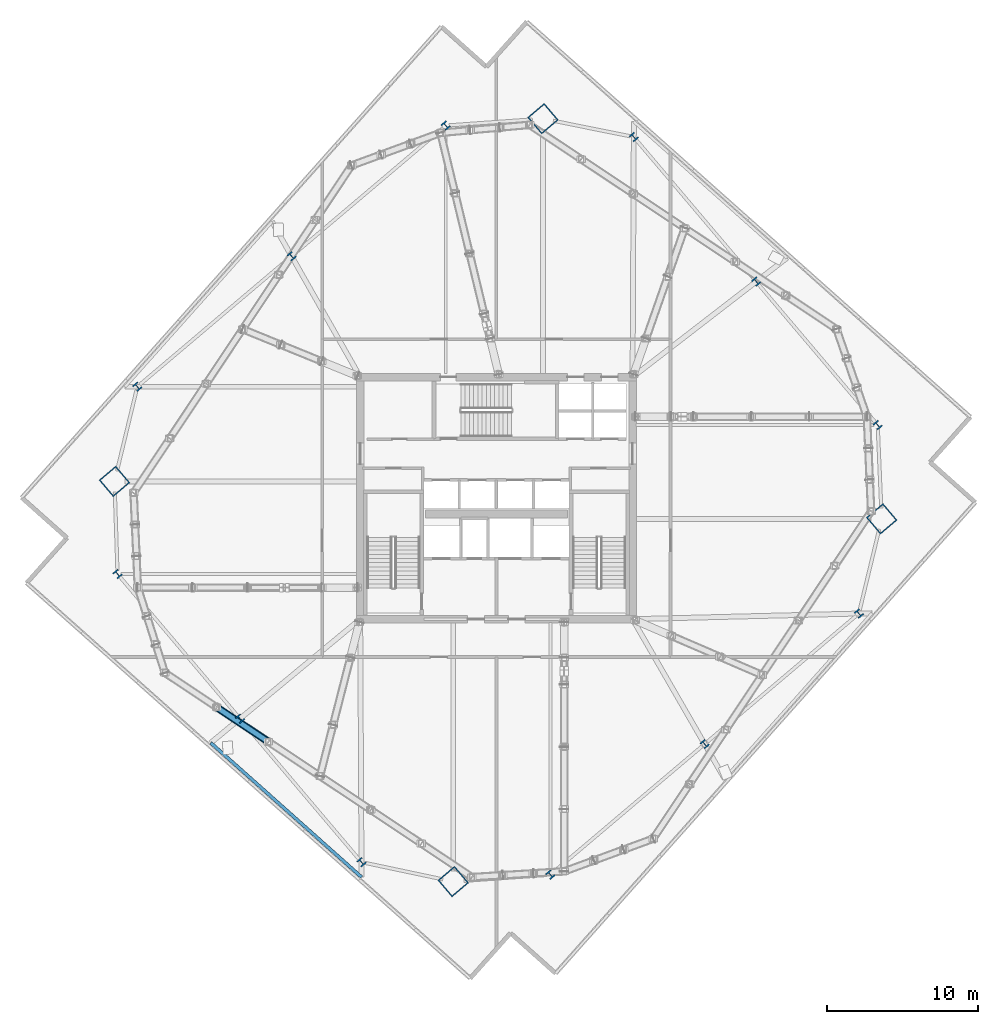
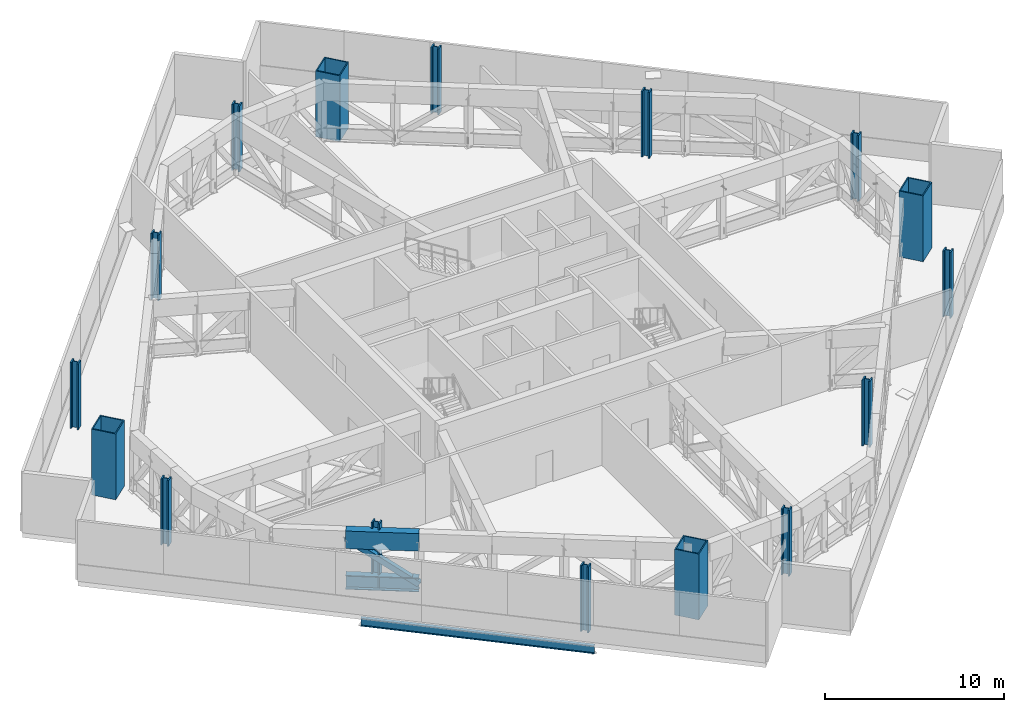
# One storey, part 1 of 18: 16 columns, 3 members, 1 beam.
"""IFC4 building model written with IfcOpenShell, lengths in metres."""

from ifc_helpers import new_model, si_unit, direction, frame, origin, origin_2d, place, context, subcontext, project, spatial, hollow_rectangle, i_section, extrude, material, material_profile, profile_set, type_object, element, save


model = new_model("IFC4")

# Units and contexts
model_context = context("Model", 3, precision=1e-05, world=origin(), true_north=direction((0.0, 1.0)))
body_context = subcontext(model_context, "Body", "Model", "MODEL_VIEW")
ifc_project = project(units=[si_unit("LENGTHUNIT", "METRE"), si_unit("AREAUNIT", "SQUARE_METRE"), si_unit("VOLUMEUNIT", "CUBIC_METRE"), si_unit("PLANEANGLEUNIT", "RADIAN"), si_unit("MASSUNIT", "GRAM", prefix="KILO")], contexts=[model_context])

# Site, building, storey
site_placement = place(None, origin())
site = spatial("IfcSite", under=ifc_project, at=site_placement, CompositionType="ELEMENT")
building_placement = place(site_placement, origin())
building = spatial("IfcBuilding", under=site, at=building_placement, Name="Haldenkirk Collegiate Tower", CompositionType="ELEMENT")
storey_placement = place(building_placement, frame((0.0, 0.0, 189.449951171875)))
storey = spatial("IfcBuildingStorey", under=building, at=storey_placement, Name="L47", CompositionType="ELEMENT", Elevation=189.449951171875)

# Columns
ifc_material_1 = material(Name="Steel ASTM A913 Grade 65", Category="steel")
ifc_material_profile_1 = material_profile(ifc_material_1, i_section(OverallWidth=0.431884765625, OverallDepth=0.498046875, WebThickness=0.0556640625, FlangeThickness=0.0888671875, at=origin_2d()), Name="W14X500")
ifc_profile_set_1 = profile_set([ifc_material_profile_1], Name="Steel ASTM A913 Grade 65")
column_type_1 = type_object("IfcColumnType", Name="COL-INT-W14X500", PredefinedType="COLUMN", material=ifc_profile_set_1)
for number, where, z_axis, x_axis, name in (
    (1, (39.568603515625, 1.113525390625, 0.0), (0.0, 0.0, 1.0), (0.763232469783, 0.646123979643, 0.0), "L47 perimeter gravity column PC-S1"),
    (2, (49.762451171875, 9.7431640625, 0.0), (0.0, 0.0, 1.0), (0.763232469783, 0.646123979643, 0.0), "L47 perimeter gravity column PC-S2"),
    (3, (59.956298828125, 18.372802734375, 0.0), (0.0, 0.0, 1.0), (0.763232469783, 0.646123979643, 0.0), "L47 perimeter gravity column PC-S3"),
    (4, (61.199462890625, 30.82421875, 0.0), (0.0, 0.0, 1.0), (0.763232469783, 0.646123979643, 0.0), "L47 perimeter gravity column PC-E1"),
    (5, (53.17138671875, 40.307373046875, 0.0), (0.0, 0.0, 1.0), (0.763232469783, 0.646123979643, 0.0), "L47 perimeter gravity column PC-E2"),
    (6, (45.079833984375, 49.865234375, 0.0), (0.0, 0.0, 1.0), (0.763232469783, 0.646123979643, 0.0), "L47 perimeter gravity column PC-E3"),
    (7, (32.657470703125, 50.619384765625, 0.0), (0.0, 0.0, 1.0), (0.763232469783, 0.646123979643, 0.0), "L47 perimeter gravity column PC-N1"),
    (8, (22.463623046875, 41.98974609375, 0.0), (0.0, 0.0, 1.0), (0.763232469783, 0.646123979643, 0.0), "L47 perimeter gravity column PC-N2"),
    (9, (12.27001953125, 33.360107421875, 0.0), (0.0, 0.0, 1.0), (0.763232469783, 0.646123979643, 0.0), "L47 perimeter gravity column PC-N3"),
    (10, (10.96337890625, 20.9833984375, 0.0), (0.0, 0.0, 1.0), (0.763232469783, 0.646123979643, 0.0), "L47 perimeter gravity column PC-W1"),
    (11, (19.0546875, 11.425537109375, 0.0), (0.0, 0.0, 1.0), (0.763232469783, 0.646123979643, 0.0), "L47 perimeter gravity column PC-W2"),
    (12, (27.0830078125, 1.9423828125, 0.0), (0.0, 0.0, 1.0), (0.763232469783, 0.646123979643, 0.0), "L47 perimeter gravity column PC-W3"),
):
    element("IfcColumn", number, at=place(storey_placement, frame(where, z_axis=z_axis, x_axis=x_axis)), inside=storey, type_object=column_type_1, Name=name, PredefinedType="COLUMN", context=body_context, shape_type="SweptSolid", body=[
        extrude(i_section(OverallWidth=0.431884765625, OverallDepth=0.498046875, WebThickness=0.0556640625, FlangeThickness=0.0888671875, at=origin_2d()), origin(), (0.0, 0.0, 1.0), 4.5),
    ])
ifc_material_2 = material(Name="Steel ASTM A572 Grade 50", Category="steel")
ifc_material_profile_2 = material_profile(ifc_material_2, hollow_rectangle(XDim=1.449951171875, YDim=1.449951171875, WallThickness=0.070068359375, at=origin_2d()), Name="BOX1450X1450X70")
ifc_profile_set_2 = profile_set([ifc_material_profile_2], Name="Steel ASTM A572 Grade 50")
column_type_2 = type_object("IfcColumnType", Name="COL-MEGA-BOX1450X1450X70", PredefinedType="COLUMN", material=ifc_profile_set_2)
for number, where, z_axis, x_axis, name in (
    (13, (33.149169921875, 0.65771484375, 0.0), (0.0, 0.0, 1.0), (0.763232469783, 0.646123979643, 0.0), "L47 corner mega-column MC1"),
    (14, (61.465087890625, 24.62890625, 0.0), (0.0, 0.0, 1.0), (0.763232469783, 0.646123979643, 0.0), "L47 corner mega-column MC2"),
    (15, (39.076904296875, 51.074951171875, 0.0), (0.0, 0.0, 1.0), (0.763232469783, 0.646123979643, 0.0), "L47 corner mega-column MC3"),
    (16, (10.760986328125, 27.103759765625, 0.0), (0.0, 0.0, 1.0), (0.763232469783, 0.646123979643, 0.0), "L47 corner mega-column MC4"),
):
    element("IfcColumn", number, at=place(storey_placement, frame(where, z_axis=z_axis, x_axis=x_axis)), inside=storey, type_object=column_type_2, Name=name, PredefinedType="COLUMN", context=body_context, shape_type="SweptSolid", body=[
        extrude(hollow_rectangle(XDim=1.449951171875, YDim=1.449951171875, WallThickness=0.070068359375, at=origin_2d()), origin(), (0.0, 0.0, 1.0), 4.5),
    ])

# Beam
ifc_material_3 = material(Name="Steel ASTM A992 Grade 50", Category="steel")
ifc_material_profile_3 = material_profile(ifc_material_3, i_section(OverallWidth=0.2119140625, OverallDepth=0.5439453125, WebThickness=0.01318359375, FlangeThickness=0.021240234375, at=origin_2d()), Name="W21X83")
ifc_profile_set_3 = profile_set([ifc_material_profile_3], Name="Steel ASTM A992 Grade 50")
beam_type = type_object("IfcBeamType", Name="BM-SPANDREL-W21X83", PredefinedType="SPANDREL", material=ifc_profile_set_3)
beam_placement = place(storey_placement, frame((17.125244140625, 9.828857421875, -0.681884765625), z_axis=(0.746635553843, -0.665233304742, 0.0), x_axis=(0.665233304742, 0.746635553843, 0.0)))
element("IfcBeam", 17, at=beam_placement, inside=storey, type_object=beam_type, Name="L47 outer facade edge beam 4", PredefinedType="SPANDREL", context=body_context, shape_type="SweptSolid", body=[
    extrude(i_section(OverallWidth=0.2119140625, OverallDepth=0.5439453125, WebThickness=0.01318359375, FlangeThickness=0.021240234375, at=origin_2d()), origin(), (0.0, 0.0, 1.0), 13.343505859375),
])

# Members
ifc_material_profile_4 = material_profile(ifc_material_2, hollow_rectangle(XDim=0.5, YDim=1.199951171875, WallThickness=0.050048828125, at=origin_2d()), Name="BOX1200X500X50")
ifc_profile_set_4 = profile_set([ifc_material_profile_4], Name="Steel ASTM A572 Grade 50")
member_type_1 = type_object("IfcMemberType", Name="MBR-CHORD-BOX1200", PredefinedType="CHORD", material=ifc_profile_set_4)
member_1_placement = place(storey_placement, frame((17.5068359375, 12.181884765625, 3.489990234375), z_axis=(0.832461692724, -0.554082602278, 0.0), x_axis=(0.554082602278, 0.832461692724, 0.0)))
element("IfcMember", 18, at=member_1_placement, inside=storey, type_object=member_type_1, Name="Belt Truss L47-14 top chord 2", PredefinedType="CHORD", context=body_context, shape_type="SweptSolid", body=[
    extrude(hollow_rectangle(XDim=0.5, YDim=1.199951171875, WallThickness=0.050048828125, at=origin_2d()), origin(), (0.0, 0.0, 1.0), 4.106201171875),
])
ifc_material_profile_5 = material_profile(ifc_material_1, i_section(OverallWidth=0.423095703125, OverallDepth=0.947998046875, WebThickness=0.02392578125, FlangeThickness=0.042724609375, at=origin_2d()), Name="W36X302")
ifc_profile_set_5 = profile_set([ifc_material_profile_5], Name="Steel ASTM A913 Grade 65")
member_type_2 = type_object("IfcMemberType", Name="MBR-CHORD-W36X302", PredefinedType="CHORD", material=ifc_profile_set_5)
member_2_placement = place(storey_placement, frame((17.5068359375, 12.181884765625, 0.550048828125), z_axis=(0.832461692724, -0.554082602278, 0.0), x_axis=(0.554082602278, 0.832461692724, 0.0)))
element("IfcMember", 19, at=member_2_placement, inside=storey, type_object=member_type_2, Name="Belt Truss L47-14 bottom chord 2", PredefinedType="CHORD", context=body_context, shape_type="SweptSolid", body=[
    extrude(i_section(OverallWidth=0.423095703125, OverallDepth=0.947998046875, WebThickness=0.02392578125, FlangeThickness=0.042724609375, at=origin_2d()), origin(), (0.0, 0.0, 1.0), 4.106201171875),
])
ifc_material_profile_6 = material_profile(ifc_material_2, hollow_rectangle(XDim=0.35009765625, YDim=0.35009765625, WallThickness=0.01611328125, at=origin_2d()), Name="HSS350X350X16")
ifc_profile_set_6 = profile_set([ifc_material_profile_6], Name="Steel ASTM A572 Grade 50")
member_type_3 = type_object("IfcMemberType", Name="MBR-TRUSSDIAG-HSS350X350X16", PredefinedType="BRACE", material=ifc_profile_set_6)
member_3_placement = place(storey_placement, frame((17.5068359375, 12.181884765625, 3.489990234375), z_axis=(0.676857565574, -0.450513224311, -0.582152618002), x_axis=(0.554082602278, 0.832461692724, 0.0)))
element("IfcMember", 20, at=member_3_placement, inside=storey, type_object=member_type_3, Name="Belt Truss L47-14 web diagonal 2", PredefinedType="BRACE", context=body_context, shape_type="SweptSolid", body=[
    extrude(hollow_rectangle(XDim=0.35009765625, YDim=0.35009765625, WallThickness=0.01611328125, at=origin_2d()), origin(), (0.0, 0.0, 1.0), 5.050048828125),
])

save(model, "model.ifc")
